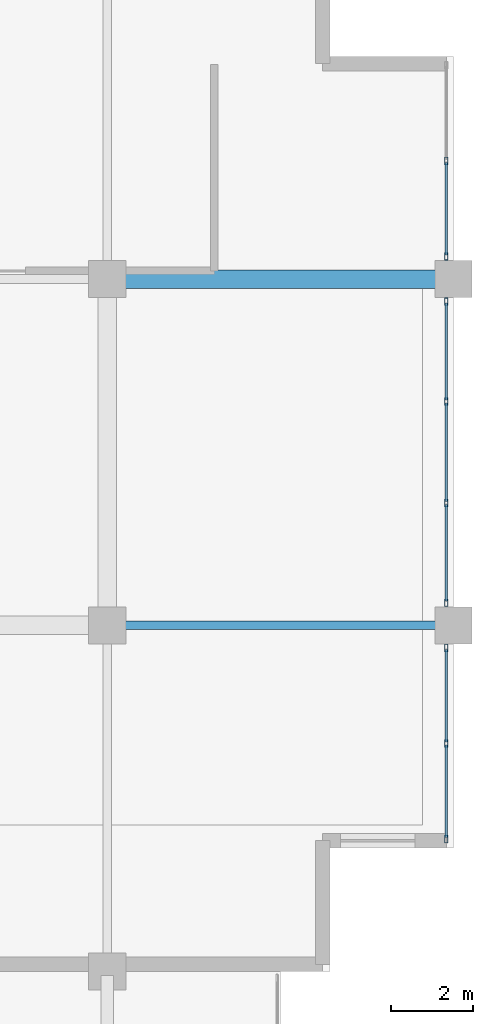
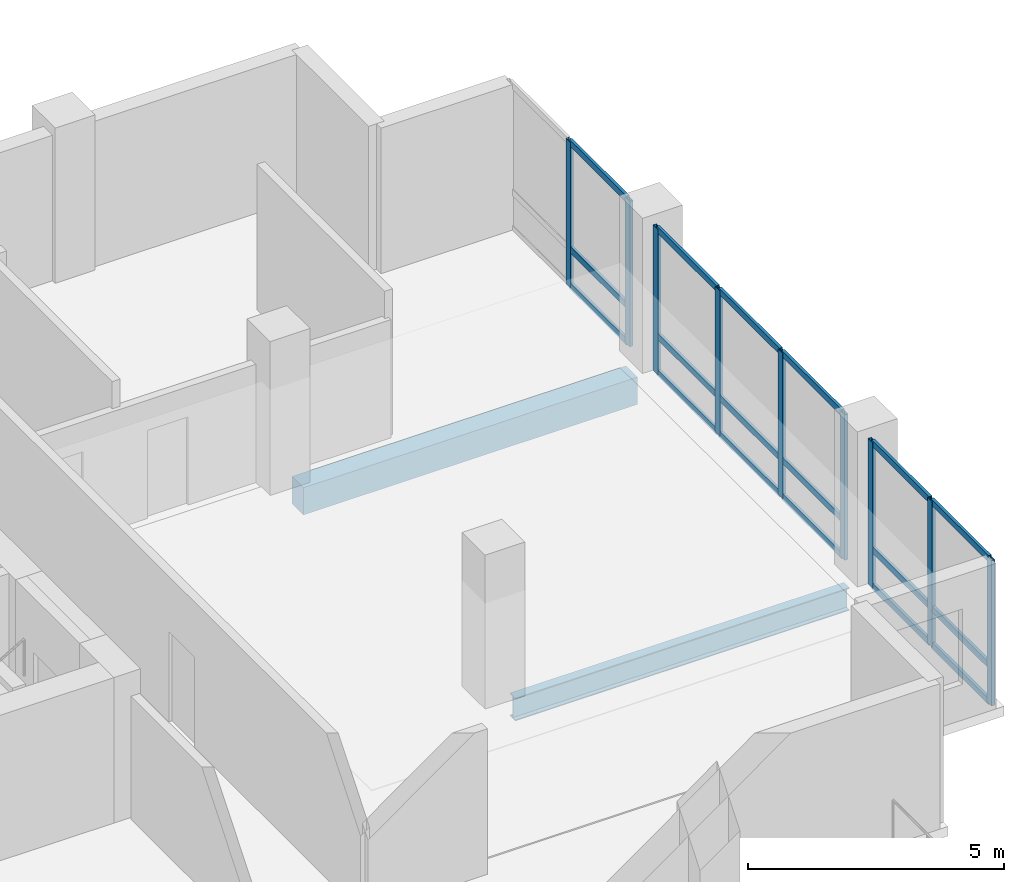
# One storey, part 3 of 16: 27 members, 2 beams, 3 elements without a shape of their own.
"""IFC4 building model written with IfcOpenShell, lengths in metres."""

from ifc_helpers import new_model, si_unit, direction, frame, origin, origin_2d, place, context, subcontext, project, spatial, rectangle, hollow_rectangle, i_section, extrude, material, layer, layer_set, material_profile, profile_set, type_object, element, aggregate, save


model = new_model("IFC4")

# Units and contexts
model_context = context("Model", 3, precision=1e-05, world=origin(), true_north=direction((0.0, 1.0)))
body_context = subcontext(model_context, "Body", "Model", "MODEL_VIEW")
ifc_project = project(units=[si_unit("LENGTHUNIT", "METRE"), si_unit("AREAUNIT", "SQUARE_METRE"), si_unit("VOLUMEUNIT", "CUBIC_METRE"), si_unit("PLANEANGLEUNIT", "RADIAN"), si_unit("MASSUNIT", "GRAM", prefix="KILO")], contexts=[model_context])

# Site, building, storey
site_placement = place(None, origin())
site = spatial("IfcSite", under=ifc_project, at=site_placement, CompositionType="ELEMENT")
building_placement = place(site_placement, origin())
building = spatial("IfcBuilding", under=site, at=building_placement, Name="Koriwani Terraces Tower", CompositionType="ELEMENT")
storey_placement = place(building_placement, frame((0.0, 0.0, 260.10009765625)))
storey = spatial("IfcBuildingStorey", under=building, at=storey_placement, Name="L64", CompositionType="ELEMENT", Elevation=260.10009765625)

# Beam
ifc_material_1 = material(Name="Concrete C50/60", Category="concrete")
ifc_material_profile_1 = material_profile(ifc_material_1, rectangle(XDim=0.449951171875, YDim=0.64990234375, at=origin_2d()), Name="Concrete C50/60", Category="LoadBearing")
ifc_profile_set_1 = profile_set([ifc_material_profile_1], Name="Concrete C50/60")
beam_type_1 = type_object("IfcBeamType", Name="BEAM_RC_GRID_450X650", PredefinedType="BEAM", material=ifc_profile_set_1)
beam_1_placement = place(storey_placement, frame((67.6298828125, 25.199951171875, -0.55517578125), z_axis=(1.0, 0.0, 0.0), x_axis=(0.0, 1.0, 0.0)))
element("IfcBeam", 1, at=beam_1_placement, inside=storey, type_object=beam_type_1, Name="L64 Grid Beam D (67.2-75.6m)", PredefinedType="BEAM", context=body_context, shape_type="SweptSolid", body=[
    extrude(rectangle(XDim=0.449951171875, YDim=0.64990234375, at=origin_2d()), origin(), (0.0, 0.0, 1.0), 7.5400390625),
])

# Curtain wall, members
ifc_material_2 = material(Name="Anodised Bronze Aluminium", Category="aluminium")
ifc_layer = layer(ifc_material_2, 0.169921875, Name="Anodised Bronze Aluminium")
ifc_layer_set = layer_set([ifc_layer], Name="Anodised Bronze Aluminium")
curtain_wall_type = type_object("IfcCurtainWallType", Name="CW_RES_ZONE4", PredefinedType="NOTDEFINED", material=ifc_layer_set)
curtain_wall_1_placement = place(storey_placement, origin())
curtain_wall_1 = element("IfcCurtainWall", 2, at=curtain_wall_1_placement, inside=storey, type_object=curtain_wall_type, Name="L64 Unitised Curtain Wall (E_TIP) Bay 1", PredefinedType="NOTDEFINED")
ifc_material_profile_2 = material_profile(ifc_material_2, hollow_rectangle(XDim=0.074951171875, YDim=0.179931640625, WallThickness=0.006103515625, at=origin_2d()), Name="Anodised Bronze Aluminium", Category="LoadBearing")
ifc_profile_set_2 = profile_set([ifc_material_profile_2], Name="Anodised Bronze Aluminium")
member_type_1 = type_object("IfcMemberType", Name="CW_MULLION_180X75", PredefinedType="MULLION", material=ifc_profile_set_2)
member_1_placement = place(storey_placement, frame((75.425048828125, 28.0673828125, 0.0), z_axis=(0.0, 0.0, 1.0), x_axis=(1.0, 0.0, 0.0)))
member_1 = element("IfcMember", 3, at=member_1_placement, type_object=member_type_1, Name="CW-Z4 mullion 2", PredefinedType="MULLION", context=body_context, shape_type="SweptSolid", body=[
    extrude(hollow_rectangle(XDim=0.074951171875, YDim=0.179931640625, WallThickness=0.006103515625, at=origin_2d()), origin(), (0.0, 0.0, 1.0), 3.469970703125),
])
member_2_placement = place(storey_placement, frame((75.425048828125, 25.74755859375, 0.0), z_axis=(0.0, 0.0, 1.0), x_axis=(1.0, 0.0, 0.0)))
member_2 = element("IfcMember", 4, at=member_2_placement, type_object=member_type_1, Name="CW-Z4 mullion 3", PredefinedType="MULLION", context=body_context, shape_type="SweptSolid", body=[
    extrude(hollow_rectangle(XDim=0.074951171875, YDim=0.179931640625, WallThickness=0.006103515625, at=origin_2d()), origin(), (0.0, 0.0, 1.0), 3.469970703125),
])

curtain_wall_2_placement = place(storey_placement, origin())
curtain_wall_2 = element("IfcCurtainWall", 5, at=curtain_wall_2_placement, inside=storey, type_object=curtain_wall_type, Name="L64 Unitised Curtain Wall (E_TIP) Bay 2", PredefinedType="NOTDEFINED")
member_3_placement = place(storey_placement, frame((75.425048828125, 24.652587890625, 0.0), z_axis=(0.0, 0.0, 1.0), x_axis=(1.0, 0.0, 0.0)))
member_3 = element("IfcMember", 6, at=member_3_placement, type_object=member_type_1, Name="CW-Z4 mullion 1", PredefinedType="MULLION", context=body_context, shape_type="SweptSolid", body=[
    extrude(hollow_rectangle(XDim=0.074951171875, YDim=0.179931640625, WallThickness=0.006103515625, at=origin_2d()), origin(), (0.0, 0.0, 1.0), 3.469970703125),
])
member_4_placement = place(storey_placement, frame((75.425048828125, 22.22998046875, 0.0), z_axis=(0.0, 0.0, 1.0), x_axis=(1.0, 0.0, 0.0)))
member_4 = element("IfcMember", 7, at=member_4_placement, type_object=member_type_1, Name="CW-Z4 mullion 2", PredefinedType="MULLION", context=body_context, shape_type="SweptSolid", body=[
    extrude(hollow_rectangle(XDim=0.074951171875, YDim=0.179931640625, WallThickness=0.006103515625, at=origin_2d()), origin(), (0.0, 0.0, 1.0), 3.469970703125),
])
member_5_placement = place(storey_placement, frame((75.425048828125, 19.77001953125, 0.0), z_axis=(0.0, 0.0, 1.0), x_axis=(1.0, 0.0, 0.0)))
member_5 = element("IfcMember", 8, at=member_5_placement, type_object=member_type_1, Name="CW-Z4 mullion 3", PredefinedType="MULLION", context=body_context, shape_type="SweptSolid", body=[
    extrude(hollow_rectangle(XDim=0.074951171875, YDim=0.179931640625, WallThickness=0.006103515625, at=origin_2d()), origin(), (0.0, 0.0, 1.0), 3.469970703125),
])
member_6_placement = place(storey_placement, frame((75.425048828125, 17.347412109375, 0.0), z_axis=(0.0, 0.0, 1.0), x_axis=(1.0, 0.0, 0.0)))
member_6 = element("IfcMember", 9, at=member_6_placement, type_object=member_type_1, Name="CW-Z4 mullion 4", PredefinedType="MULLION", context=body_context, shape_type="SweptSolid", body=[
    extrude(hollow_rectangle(XDim=0.074951171875, YDim=0.179931640625, WallThickness=0.006103515625, at=origin_2d()), origin(), (0.0, 0.0, 1.0), 3.469970703125),
])

curtain_wall_3_placement = place(storey_placement, origin())
curtain_wall_3 = element("IfcCurtainWall", 10, at=curtain_wall_3_placement, inside=storey, type_object=curtain_wall_type, Name="L64 Unitised Curtain Wall (E_TIP) Bay 3", PredefinedType="NOTDEFINED")
member_7_placement = place(storey_placement, frame((75.425048828125, 16.25244140625, 0.0), z_axis=(0.0, 0.0, 1.0), x_axis=(1.0, 0.0, 0.0)))
member_7 = element("IfcMember", 11, at=member_7_placement, type_object=member_type_1, Name="CW-Z4 mullion 1", PredefinedType="MULLION", context=body_context, shape_type="SweptSolid", body=[
    extrude(hollow_rectangle(XDim=0.074951171875, YDim=0.179931640625, WallThickness=0.006103515625, at=origin_2d()), origin(), (0.0, 0.0, 1.0), 3.469970703125),
])
member_8_placement = place(storey_placement, frame((75.425048828125, 13.9326171875, 0.0), z_axis=(0.0, 0.0, 1.0), x_axis=(1.0, 0.0, 0.0)))
member_8 = element("IfcMember", 12, at=member_8_placement, type_object=member_type_1, Name="CW-Z4 mullion 2", PredefinedType="MULLION", context=body_context, shape_type="SweptSolid", body=[
    extrude(hollow_rectangle(XDim=0.074951171875, YDim=0.179931640625, WallThickness=0.006103515625, at=origin_2d()), origin(), (0.0, 0.0, 1.0), 3.469970703125),
])
member_9_placement = place(storey_placement, frame((75.425048828125, 11.612548828125, 0.0), z_axis=(0.0, 0.0, 1.0), x_axis=(1.0, 0.0, 0.0)))
member_9 = element("IfcMember", 13, at=member_9_placement, type_object=member_type_1, Name="CW-Z4 mullion 3", PredefinedType="MULLION", context=body_context, shape_type="SweptSolid", body=[
    extrude(hollow_rectangle(XDim=0.074951171875, YDim=0.179931640625, WallThickness=0.006103515625, at=origin_2d()), origin(), (0.0, 0.0, 1.0), 3.469970703125),
])

# Member
ifc_material_profile_3 = material_profile(ifc_material_2, hollow_rectangle(XDim=0.06494140625, YDim=0.14990234375, WallThickness=0.0048828125, at=origin_2d()), Name="Anodised Bronze Aluminium", Category="LoadBearing")
ifc_profile_set_3 = profile_set([ifc_material_profile_3], Name="Anodised Bronze Aluminium")
member_type_2 = type_object("IfcMemberType", Name="CW_TRANSOM_150X65", PredefinedType="USERDEFINED", material=ifc_profile_set_3)
member_10_placement = place(storey_placement, frame((75.425048828125, 28.030029296875, 0.032470703125), z_axis=(0.0, -1.0, 0.0), x_axis=(1.0, 0.0, 0.0)))
member_10 = element("IfcMember", 14, at=member_10_placement, type_object=member_type_2, Name="CW-Z4 transom 2.1", ObjectType="TRANSOM", PredefinedType="USERDEFINED", context=body_context, shape_type="SweptSolid", body=[
    extrude(hollow_rectangle(XDim=0.06494140625, YDim=0.14990234375, WallThickness=0.0048828125, at=origin_2d()), origin(), (0.0, 0.0, 1.0), 2.2451171875),
])

member_11_placement = place(storey_placement, frame((75.425048828125, 28.030029296875, 0.89990234375), z_axis=(0.0, -1.0, 0.0), x_axis=(1.0, 0.0, 0.0)))
member_11 = element("IfcMember", 15, at=member_11_placement, type_object=member_type_2, Name="CW-Z4 transom 2.2", ObjectType="TRANSOM", PredefinedType="USERDEFINED", context=body_context, shape_type="SweptSolid", body=[
    extrude(hollow_rectangle(XDim=0.06494140625, YDim=0.14990234375, WallThickness=0.0048828125, at=origin_2d()), origin(), (0.0, 0.0, 1.0), 2.2451171875),
])

member_12_placement = place(storey_placement, frame((75.425048828125, 28.030029296875, 3.4375), z_axis=(0.0, -1.0, 0.0), x_axis=(1.0, 0.0, 0.0)))
member_12 = element("IfcMember", 16, at=member_12_placement, type_object=member_type_2, Name="CW-Z4 transom 2.3", ObjectType="TRANSOM", PredefinedType="USERDEFINED", context=body_context, shape_type="SweptSolid", body=[
    extrude(hollow_rectangle(XDim=0.06494140625, YDim=0.14990234375, WallThickness=0.0048828125, at=origin_2d()), origin(), (0.0, 0.0, 1.0), 2.2451171875),
])

aggregate(curtain_wall_1, [member_1, member_2, member_10, member_11, member_12])

member_13_placement = place(storey_placement, frame((75.425048828125, 24.614990234375, 0.032470703125), z_axis=(0.0, -1.0, 0.0), x_axis=(1.0, 0.0, 0.0)))
member_13 = element("IfcMember", 17, at=member_13_placement, type_object=member_type_2, Name="CW-Z4 transom 1.1", ObjectType="TRANSOM", PredefinedType="USERDEFINED", context=body_context, shape_type="SweptSolid", body=[
    extrude(hollow_rectangle(XDim=0.06494140625, YDim=0.14990234375, WallThickness=0.0048828125, at=origin_2d()), origin(), (0.0, 0.0, 1.0), 2.347412109375),
])

member_14_placement = place(storey_placement, frame((75.425048828125, 24.614990234375, 0.89990234375), z_axis=(0.0, -1.0, 0.0), x_axis=(1.0, 0.0, 0.0)))
member_14 = element("IfcMember", 18, at=member_14_placement, type_object=member_type_2, Name="CW-Z4 transom 1.2", ObjectType="TRANSOM", PredefinedType="USERDEFINED", context=body_context, shape_type="SweptSolid", body=[
    extrude(hollow_rectangle(XDim=0.06494140625, YDim=0.14990234375, WallThickness=0.0048828125, at=origin_2d()), origin(), (0.0, 0.0, 1.0), 2.347412109375),
])

member_15_placement = place(storey_placement, frame((75.425048828125, 24.614990234375, 3.4375), z_axis=(0.0, -1.0, 0.0), x_axis=(1.0, 0.0, 0.0)))
member_15 = element("IfcMember", 19, at=member_15_placement, type_object=member_type_2, Name="CW-Z4 transom 1.3", ObjectType="TRANSOM", PredefinedType="USERDEFINED", context=body_context, shape_type="SweptSolid", body=[
    extrude(hollow_rectangle(XDim=0.06494140625, YDim=0.14990234375, WallThickness=0.0048828125, at=origin_2d()), origin(), (0.0, 0.0, 1.0), 2.347412109375),
])

member_16_placement = place(storey_placement, frame((75.425048828125, 22.1923828125, 0.032470703125), z_axis=(0.0, -1.0, 0.0), x_axis=(1.0, 0.0, 0.0)))
member_16 = element("IfcMember", 20, at=member_16_placement, type_object=member_type_2, Name="CW-Z4 transom 2.1", ObjectType="TRANSOM", PredefinedType="USERDEFINED", context=body_context, shape_type="SweptSolid", body=[
    extrude(hollow_rectangle(XDim=0.06494140625, YDim=0.14990234375, WallThickness=0.0048828125, at=origin_2d()), origin(), (0.0, 0.0, 1.0), 2.384765625),
])

member_17_placement = place(storey_placement, frame((75.425048828125, 22.1923828125, 0.89990234375), z_axis=(0.0, -1.0, 0.0), x_axis=(1.0, 0.0, 0.0)))
member_17 = element("IfcMember", 21, at=member_17_placement, type_object=member_type_2, Name="CW-Z4 transom 2.2", ObjectType="TRANSOM", PredefinedType="USERDEFINED", context=body_context, shape_type="SweptSolid", body=[
    extrude(hollow_rectangle(XDim=0.06494140625, YDim=0.14990234375, WallThickness=0.0048828125, at=origin_2d()), origin(), (0.0, 0.0, 1.0), 2.384765625),
])

member_18_placement = place(storey_placement, frame((75.425048828125, 22.1923828125, 3.4375), z_axis=(0.0, -1.0, 0.0), x_axis=(1.0, 0.0, 0.0)))
member_18 = element("IfcMember", 22, at=member_18_placement, type_object=member_type_2, Name="CW-Z4 transom 2.3", ObjectType="TRANSOM", PredefinedType="USERDEFINED", context=body_context, shape_type="SweptSolid", body=[
    extrude(hollow_rectangle(XDim=0.06494140625, YDim=0.14990234375, WallThickness=0.0048828125, at=origin_2d()), origin(), (0.0, 0.0, 1.0), 2.384765625),
])

member_19_placement = place(storey_placement, frame((75.425048828125, 19.732421875, 0.032470703125), z_axis=(0.0, -1.0, 0.0), x_axis=(1.0, 0.0, 0.0)))
member_19 = element("IfcMember", 23, at=member_19_placement, type_object=member_type_2, Name="CW-Z4 transom 3.1", ObjectType="TRANSOM", PredefinedType="USERDEFINED", context=body_context, shape_type="SweptSolid", body=[
    extrude(hollow_rectangle(XDim=0.06494140625, YDim=0.14990234375, WallThickness=0.0048828125, at=origin_2d()), origin(), (0.0, 0.0, 1.0), 2.347412109375),
])

member_20_placement = place(storey_placement, frame((75.425048828125, 19.732421875, 0.89990234375), z_axis=(0.0, -1.0, 0.0), x_axis=(1.0, 0.0, 0.0)))
member_20 = element("IfcMember", 24, at=member_20_placement, type_object=member_type_2, Name="CW-Z4 transom 3.2", ObjectType="TRANSOM", PredefinedType="USERDEFINED", context=body_context, shape_type="SweptSolid", body=[
    extrude(hollow_rectangle(XDim=0.06494140625, YDim=0.14990234375, WallThickness=0.0048828125, at=origin_2d()), origin(), (0.0, 0.0, 1.0), 2.347412109375),
])

member_21_placement = place(storey_placement, frame((75.425048828125, 19.732421875, 3.4375), z_axis=(0.0, -1.0, 0.0), x_axis=(1.0, 0.0, 0.0)))
member_21 = element("IfcMember", 25, at=member_21_placement, type_object=member_type_2, Name="CW-Z4 transom 3.3", ObjectType="TRANSOM", PredefinedType="USERDEFINED", context=body_context, shape_type="SweptSolid", body=[
    extrude(hollow_rectangle(XDim=0.06494140625, YDim=0.14990234375, WallThickness=0.0048828125, at=origin_2d()), origin(), (0.0, 0.0, 1.0), 2.347412109375),
])

aggregate(curtain_wall_2, [member_3, member_4, member_5, member_6, member_13, member_14, member_15, member_16, member_17, member_18, member_19, member_20, member_21])

member_22_placement = place(storey_placement, frame((75.425048828125, 16.215087890625, 0.032470703125), z_axis=(0.0, -1.0, 0.0), x_axis=(1.0, 0.0, 0.0)))
member_22 = element("IfcMember", 26, at=member_22_placement, type_object=member_type_2, Name="CW-Z4 transom 1.1", ObjectType="TRANSOM", PredefinedType="USERDEFINED", context=body_context, shape_type="SweptSolid", body=[
    extrude(hollow_rectangle(XDim=0.06494140625, YDim=0.14990234375, WallThickness=0.0048828125, at=origin_2d()), origin(), (0.0, 0.0, 1.0), 2.2451171875),
])

member_23_placement = place(storey_placement, frame((75.425048828125, 16.215087890625, 0.89990234375), z_axis=(0.0, -1.0, 0.0), x_axis=(1.0, 0.0, 0.0)))
member_23 = element("IfcMember", 27, at=member_23_placement, type_object=member_type_2, Name="CW-Z4 transom 1.2", ObjectType="TRANSOM", PredefinedType="USERDEFINED", context=body_context, shape_type="SweptSolid", body=[
    extrude(hollow_rectangle(XDim=0.06494140625, YDim=0.14990234375, WallThickness=0.0048828125, at=origin_2d()), origin(), (0.0, 0.0, 1.0), 2.2451171875),
])

member_24_placement = place(storey_placement, frame((75.425048828125, 16.215087890625, 3.4375), z_axis=(0.0, -1.0, 0.0), x_axis=(1.0, 0.0, 0.0)))
member_24 = element("IfcMember", 28, at=member_24_placement, type_object=member_type_2, Name="CW-Z4 transom 1.3", ObjectType="TRANSOM", PredefinedType="USERDEFINED", context=body_context, shape_type="SweptSolid", body=[
    extrude(hollow_rectangle(XDim=0.06494140625, YDim=0.14990234375, WallThickness=0.0048828125, at=origin_2d()), origin(), (0.0, 0.0, 1.0), 2.2451171875),
])

member_25_placement = place(storey_placement, frame((75.425048828125, 13.89501953125, 0.032470703125), z_axis=(0.0, -1.0, 0.0), x_axis=(1.0, 0.0, 0.0)))
member_25 = element("IfcMember", 29, at=member_25_placement, type_object=member_type_2, Name="CW-Z4 transom 2.1", ObjectType="TRANSOM", PredefinedType="USERDEFINED", context=body_context, shape_type="SweptSolid", body=[
    extrude(hollow_rectangle(XDim=0.06494140625, YDim=0.14990234375, WallThickness=0.0048828125, at=origin_2d()), origin(), (0.0, 0.0, 1.0), 2.2451171875),
])

member_26_placement = place(storey_placement, frame((75.425048828125, 13.89501953125, 0.89990234375), z_axis=(0.0, -1.0, 0.0), x_axis=(1.0, 0.0, 0.0)))
member_26 = element("IfcMember", 30, at=member_26_placement, type_object=member_type_2, Name="CW-Z4 transom 2.2", ObjectType="TRANSOM", PredefinedType="USERDEFINED", context=body_context, shape_type="SweptSolid", body=[
    extrude(hollow_rectangle(XDim=0.06494140625, YDim=0.14990234375, WallThickness=0.0048828125, at=origin_2d()), origin(), (0.0, 0.0, 1.0), 2.2451171875),
])

member_27_placement = place(storey_placement, frame((75.425048828125, 13.89501953125, 3.4375), z_axis=(0.0, -1.0, 0.0), x_axis=(1.0, 0.0, 0.0)))
member_27 = element("IfcMember", 31, at=member_27_placement, type_object=member_type_2, Name="CW-Z4 transom 2.3", ObjectType="TRANSOM", PredefinedType="USERDEFINED", context=body_context, shape_type="SweptSolid", body=[
    extrude(hollow_rectangle(XDim=0.06494140625, YDim=0.14990234375, WallThickness=0.0048828125, at=origin_2d()), origin(), (0.0, 0.0, 1.0), 2.2451171875),
])

aggregate(curtain_wall_3, [member_7, member_8, member_9, member_22, member_23, member_24, member_25, member_26, member_27])

# Beam
ifc_material_3 = material(Name="Steel ASTM A572 Grade 50", Category="steel")
ifc_material_profile_4 = material_profile(ifc_material_3, i_section(OverallWidth=0.2119140625, OverallDepth=0.54296875, WebThickness=0.0126953125, FlangeThickness=0.021240234375, at=origin_2d()), Name="Steel ASTM A572 Grade 50", Category="LoadBearing")
ifc_profile_set_4 = profile_set([ifc_material_profile_4], Name="Steel ASTM A572 Grade 50")
beam_type_2 = type_object("IfcBeamType", Name="STEEL_BEAM_W530X150", PredefinedType="BEAM", material=ifc_profile_set_4)
beam_2_placement = place(storey_placement, frame((67.6298828125, 16.800048828125, -0.501708984375), z_axis=(1.0, 0.0, 0.0), x_axis=(0.0, 1.0, 0.0)))
element("IfcBeam", 32, at=beam_2_placement, inside=storey, type_object=beam_type_2, Name="L64 Grid Beam C (67.2-75.6m)", PredefinedType="BEAM", context=body_context, shape_type="SweptSolid", body=[
    extrude(i_section(OverallWidth=0.2119140625, OverallDepth=0.54296875, WebThickness=0.0126953125, FlangeThickness=0.021240234375, at=origin_2d()), origin(), (0.0, 0.0, 1.0), 7.5400390625),
])

save(model, "model.ifc")
